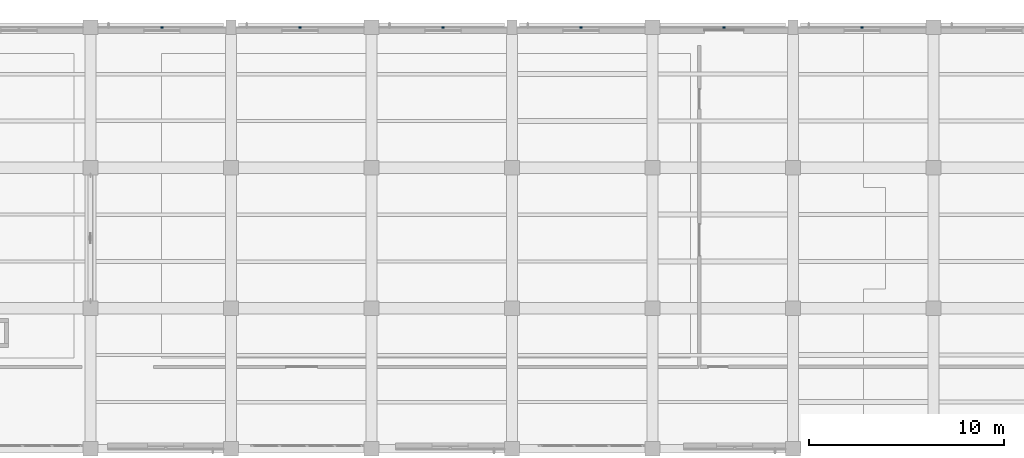
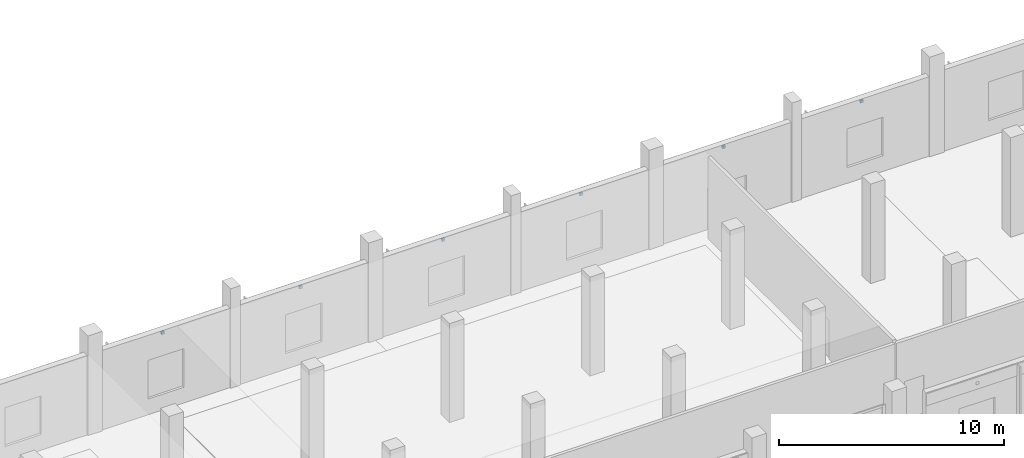
# One storey, part 117 of 137: 6 discrete accessories.
"""IFC4 building model written with IfcOpenShell, lengths in metres."""

import ifcopenshell
import ifcopenshell.guid

model = None  # the IFC model being written
_history = None  # IfcOwnerHistory: only IFC2X3 demands one
_inside = {}  # id of a spatial element -> (the spatial element, [elements in it])
_under = {}  # id of a project, library or spatial element -> (it, [spatial elements below it])
_declared = {}  # id of a project -> (the project, [libraries it declares])
_typed = {}  # id of a type object -> (the type object, [elements of that type])
_made_of = {}  # id of a material, layer set ... -> (it, [elements and type objects made of it])


def new_model(schema):
    """Start an empty IFC model of exactly this schema.

    Asked for "IFC4X3", IfcOpenShell would pick the latest addendum, in which some entities
    have other attributes; the version numbers below select the first issue.
    IFC2X3 requires an IfcOwnerHistory on every rooted entity: one is made here for all.
    """
    global model, _history
    if schema == "IFC4X3":
        model = ifcopenshell.file(schema_version=(4, 3, 0, 0))
    else:
        model = ifcopenshell.file(schema=schema)
    _inside.clear()
    _under.clear()
    _declared.clear()
    _typed.clear()
    _made_of.clear()
    _history = None
    if model.schema == "IFC2X3":
        org = make("IfcOrganization", Name="unknown")
        user = make(
            "IfcPersonAndOrganization",
            ThePerson=make("IfcPerson", FamilyName="unknown"),
            TheOrganization=org,
        )
        app = make(
            "IfcApplication",
            ApplicationDeveloper=org,
            Version="unknown",
            ApplicationFullName="unknown",
            ApplicationIdentifier="unknown",
        )
        _history = make(
            "IfcOwnerHistory",
            OwningUser=user,
            OwningApplication=app,
            ChangeAction="ADDED",
            CreationDate=0,
        )
    return model


def make(cls, **values):
    """One entity of the class cls with the attributes given. An attribute that is None is left unset."""
    return model.create_entity(
        cls, **{name: value for name, value in values.items() if value is not None}
    )


def rooted(cls, **values):
    """An entity with a GlobalId (a new one), such as an element, a storey or a relation."""
    return make(cls, GlobalId=ifcopenshell.guid.new(), OwnerHistory=_history, **values)


def si_unit(unit_type, name, prefix=None):
    """IfcSIUnit, for example si_unit("LENGTHUNIT", "METRE", prefix="MILLI")."""
    return make("IfcSIUnit", UnitType=unit_type, Prefix=prefix, Name=name)


def assignment(units):
    """IfcUnitAssignment: the units of a project."""
    return None if units is None else make("IfcUnitAssignment", Units=units)


def point(xyz):
    """IfcCartesianPoint."""
    return None if xyz is None else make("IfcCartesianPoint", Coordinates=xyz)


def direction(xyz):
    """IfcDirection."""
    return None if xyz is None else make("IfcDirection", DirectionRatios=xyz)


def frame(location, z_axis=None, x_axis=None):
    """IfcAxis2Placement3D, a coordinate frame: its origin and axes. An axis left out is left unset."""
    return make(
        "IfcAxis2Placement3D",
        Location=point(location),
        Axis=direction(z_axis),
        RefDirection=direction(x_axis),
    )


def frame_2d(location, x_axis=None):
    """IfcAxis2Placement2D, a coordinate frame in the plane: its origin and x axis."""
    return make(
        "IfcAxis2Placement2D", Location=point(location), RefDirection=direction(x_axis)
    )


def origin():
    """The frame at (0, 0, 0) with its axes left unset."""
    return frame((0.0, 0.0, 0.0))


def origin_2d():
    """The frame at (0, 0) in the plane with its x axis left unset."""
    return frame_2d((0.0, 0.0))


def place(relative_to, where):
    """IfcLocalPlacement: puts the frame where relative to a parent placement (None: the world)."""
    return make(
        "IfcLocalPlacement", PlacementRelTo=relative_to, RelativePlacement=where
    )


def context(
    kind, dimensions, precision=None, world=None, true_north=None, identifier=None
):
    """IfcGeometricRepresentationContext, for example the 3D "Model" context."""
    return make(
        "IfcGeometricRepresentationContext",
        ContextIdentifier=identifier,
        ContextType=kind,
        CoordinateSpaceDimension=dimensions,
        Precision=precision,
        WorldCoordinateSystem=world,
        TrueNorth=true_north,
    )


def subcontext(parent, identifier, kind, view, scale=None):
    """IfcGeometricRepresentationSubContext, for example "Body" below "Model"."""
    return make(
        "IfcGeometricRepresentationSubContext",
        ContextIdentifier=identifier,
        ContextType=kind,
        ParentContext=parent,
        TargetScale=scale,
        TargetView=view,
    )


def project(units=None, contexts=None):
    """IfcProject with its units and contexts."""
    return rooted(
        "IfcProject",
        Name="project",
        RepresentationContexts=contexts,
        UnitsInContext=assignment(units),
    )


def spatial(cls, under=None, at=None, **own):
    """A site, building, storey or space (cls), placed at a placement, below another one or the project."""
    s = rooted(cls, ObjectPlacement=at, **own)
    if under is not None:
        _under.setdefault(under.id(), (under, []))[1].append(s)
    return s


def profile(cls, at=None, kind="AREA", **sizes):
    """A parametric profile (cls). Its sizes go by their IFC names, for example OverallWidth=200.0."""
    return make(cls, ProfileType=kind, Position=at, **sizes)


def rectangle(**sizes):
    """IfcRectangleProfileDef."""
    return profile("IfcRectangleProfileDef", **sizes)


def extrude(swept, where, along, depth):
    """IfcExtrudedAreaSolid: the profile swept, set in the frame where, extruded along a direction by depth."""
    return make(
        "IfcExtrudedAreaSolid",
        SweptArea=swept,
        Position=where,
        ExtrudedDirection=direction(along),
        Depth=depth,
    )


def shape(context_of_items, identifier, shape_type, items):
    """IfcShapeRepresentation: the items that make up one representation, for example the "Body"."""
    return make(
        "IfcShapeRepresentation",
        ContextOfItems=context_of_items,
        RepresentationIdentifier=identifier,
        RepresentationType=shape_type,
        Items=items,
    )


def material(Name=None, Category=None):
    """IfcMaterial."""
    return make("IfcMaterial", Name=Name, Category=Category)


def made_of(thing, what):
    """Note that an element or type object is made of a material, layer set ...; save() writes the relation."""
    if what is not None:
        _made_of.setdefault(what.id(), (what, []))[1].append(thing)
    return thing


def type_object(cls, material=None, **own):
    """A type object (cls), such as IfcWallType, which elements share."""
    return made_of(rooted(cls, **own), material)


def element(
    cls,
    number,
    at=None,
    inside=None,
    cuts=None,
    type_object=None,
    material=None,
    context=None,
    identifier="Body",
    shape_type=None,
    held_by="IfcProductDefinitionShape",
    body=None,
    shapes=None,
    **own,
):
    """One element of the class cls, such as IfcWall. Its Tag is "e" and its number.

    at: its placement. inside: the storey or other place that contains it. cuts: it is an
    opening in that element (IfcRelVoidsElement). A single representation is given by context,
    identifier, shape_type and body (its items); several are given by shapes. held_by: the class
    of the entity that holds the representations. save() writes the other relations.
    """
    e = rooted(cls, Tag="e%d" % number, ObjectPlacement=at, **own)
    if body is not None:
        shapes = [shape(context, identifier, shape_type, body)]
    if shapes is not None:
        e.Representation = make(held_by, Representations=shapes)
    if inside is not None:
        _inside.setdefault(inside.id(), (inside, []))[1].append(e)
    if cuts is not None:
        rooted(
            "IfcRelVoidsElement", RelatingBuildingElement=cuts, RelatedOpeningElement=e
        )
    if type_object is not None:
        _typed.setdefault(type_object.id(), (type_object, []))[1].append(e)
    return made_of(e, material)


def aggregate(whole, parts):
    """IfcRelAggregates: a whole, such as a stair, and the parts it consists of."""
    return rooted("IfcRelAggregates", RelatingObject=whole, RelatedObjects=parts)


def save(model, path):
    """Write the relations noted so far, then the file.

    IfcRelAggregates (storeys below a building ...), IfcRelContainedInSpatialStructure (elements
    in a storey), IfcRelDefinesByType, IfcRelAssociatesMaterial and IfcRelDeclares: one each for
    every whole, place, type object, material and project.
    """
    for whole, parts in _under.values():
        aggregate(whole, parts)
    for where, things in _inside.values():
        rooted(
            "IfcRelContainedInSpatialStructure",
            RelatedElements=things,
            RelatingStructure=where,
        )
    for kind, things in _typed.values():
        rooted("IfcRelDefinesByType", RelatedObjects=things, RelatingType=kind)
    for what, things in _made_of.values():
        rooted("IfcRelAssociatesMaterial", RelatedObjects=things, RelatingMaterial=what)
    for by, libraries in _declared.values():
        rooted("IfcRelDeclares", RelatingContext=by, RelatedDefinitions=libraries)
    model.write(path)


model = new_model("IFC4")

# Units and contexts
model_context = context("Model", 3, precision=1e-05, world=origin(), true_north=direction((0.0, 1.0)))
body_context = subcontext(model_context, "Body", "Model", "MODEL_VIEW")
ifc_project = project(units=[si_unit("LENGTHUNIT", "METRE"), si_unit("AREAUNIT", "SQUARE_METRE"), si_unit("VOLUMEUNIT", "CUBIC_METRE"), si_unit("PLANEANGLEUNIT", "RADIAN"), si_unit("MASSUNIT", "GRAM", prefix="KILO")], contexts=[model_context])

# Site, building, storey
site_placement = place(None, origin())
site = spatial("IfcSite", under=ifc_project, at=site_placement, CompositionType="ELEMENT")
building_placement = place(site_placement, origin())
building = spatial("IfcBuilding", under=site, at=building_placement, Name="Kalmorath City Hall", CompositionType="ELEMENT")
storey_placement = place(building_placement, origin())
storey = spatial("IfcBuildingStorey", under=building, at=storey_placement, Name="L00", CompositionType="ELEMENT", Elevation=0.0)

# Discrete accessories
ifc_material = material(Name="Stainless steel Grade 316", Category="steel")
discrete_accessory_type = type_object("IfcDiscreteAccessoryType", Name="Stainless rainscreen support bracket", PredefinedType="BRACKET", material=ifc_material)
for number, where, z_axis, x_axis, name in (
    (1, (68.46240234375, 115.18994140625, 3.89111328125), (0.0, 0.0, 1.0), (1.0, 0.0, 0.0), "L00 basalt anchor bracket #6"),
    (2, (75.53759765625, 115.18994140625, 3.89111328125), (0.0, 0.0, 1.0), (1.0, 0.0, 0.0), "L00 basalt anchor bracket #7"),
    (3, (82.862548828125, 115.18994140625, 3.89111328125), (0.0, 0.0, 1.0), (1.0, 0.0, 0.0), "L00 basalt anchor bracket #8"),
    (4, (89.9375, 115.18994140625, 3.89111328125), (0.0, 0.0, 1.0), (1.0, 0.0, 0.0), "L00 basalt anchor bracket #9"),
    (5, (97.262451171875, 115.18994140625, 3.89111328125), (0.0, 0.0, 1.0), (1.0, 0.0, 0.0), "L00 basalt anchor bracket #10"),
    (6, (104.33740234375, 115.18994140625, 3.89111328125), (0.0, 0.0, 1.0), (1.0, 0.0, 0.0), "L00 basalt anchor bracket #11"),
):
    element("IfcDiscreteAccessory", number, at=place(storey_placement, frame(where, z_axis=z_axis, x_axis=x_axis)), inside=storey, type_object=discrete_accessory_type, Name=name, PredefinedType="BRACKET", context=body_context, shape_type="SweptSolid", body=[
        extrude(rectangle(XDim=0.139892578125, YDim=0.10009765625, at=origin_2d()), origin(), (0.0, 0.0, 1.0), 0.139892578125),
    ])

save(model, "model.ifc")
